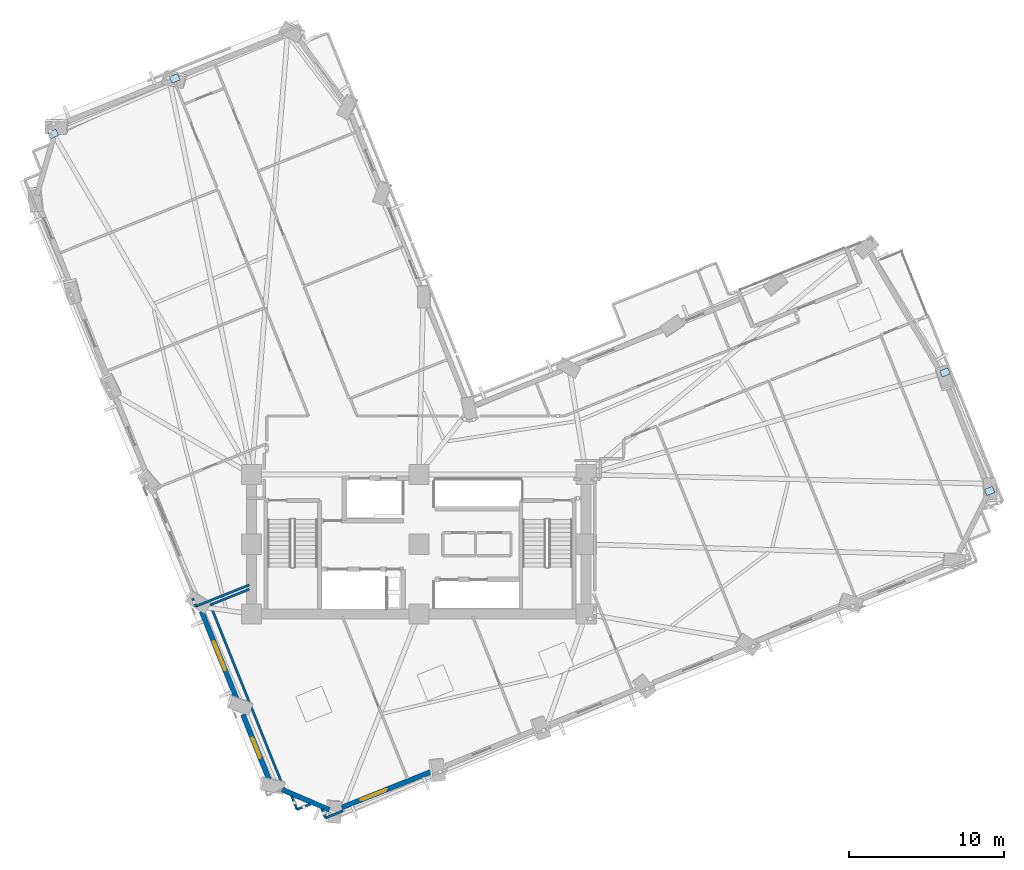
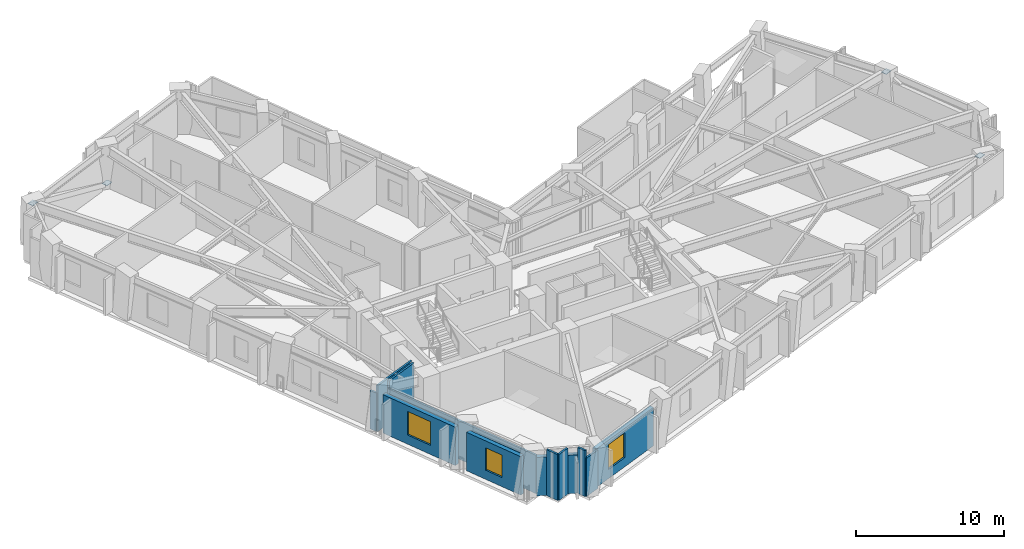
# One storey, part 7 of 16: 12 walls, 4 plates, 3 windows, 3 openings.
"""IFC4 building model written with IfcOpenShell, lengths in metres."""

from ifc_helpers import new_model, si_unit, direction, frame, frame_2d, origin, origin_2d, place, context, subcontext, project, spatial, rectangle, extrude, material, layer, layer_set, type_object, element, fill, save


model = new_model("IFC4")

# Units and contexts
model_context = context("Model", 3, precision=1e-05, world=origin(), true_north=direction((0.0, 1.0)))
body_context = subcontext(model_context, "Body", "Model", "MODEL_VIEW")
ifc_project = project(units=[si_unit("LENGTHUNIT", "METRE"), si_unit("AREAUNIT", "SQUARE_METRE"), si_unit("VOLUMEUNIT", "CUBIC_METRE"), si_unit("PLANEANGLEUNIT", "RADIAN"), si_unit("MASSUNIT", "GRAM", prefix="KILO")], contexts=[model_context])

# Site, building, storey
site_placement = place(None, origin())
site = spatial("IfcSite", under=ifc_project, at=site_placement, CompositionType="ELEMENT")
building_placement = place(site_placement, origin())
building = spatial("IfcBuilding", under=site, at=building_placement, Name="Gaonmaruhae Medical Tower", CompositionType="ELEMENT")
storey_placement = place(building_placement, frame((0.0, 0.0, 116.39990234375)))
storey = spatial("IfcBuildingStorey", under=building, at=storey_placement, Name="L27", CompositionType="ELEMENT", Elevation=116.39990234375)

# Plates
ifc_material_1 = material(Name="Steel HSA650 (650 MPa)", Category="steel")
ifc_layer_1 = layer(ifc_material_1, 0.028076171875)
ifc_layer_set_1 = layer_set([ifc_layer_1], Name="Steel HSA650 (650 MPa)")
plate_type = type_object("IfcPlateType", Name="GP-02 Tube Brace End Cap Gusset Plate", PredefinedType="USERDEFINED", material=ifc_layer_set_1)
for number, where, z_axis, x_axis, name in (
    (1, (61.638427734375, 15.73388671875, 0.23583984375), (0.0, 0.0, 1.0), (0.928161393808, 0.372177950778, 0.0), "L27 Gusset Cap Plate PLT-L27-PBR-E01A"),
    (2, (58.76220703125, 23.390625, 3.51611328125), (0.0, 0.0, 1.0), (0.921863151589, 0.387515586452, 0.0), "L27 Gusset Cap Plate PLT-L27-PBR-E01B"),
    (3, (9.04541015625, 42.373779296875, 0.23583984375), (0.0, 0.0, 1.0), (0.928161393808, 0.372177950778, 0.0), "L27 Gusset Cap Plate PLT-L27-PBR-N02A"),
    (4, (1.1982421875, 38.78662109375, 3.51611328125), (0.0, 0.0, 1.0), (0.921863151589, 0.387515586452, 0.0), "L27 Gusset Cap Plate PLT-L27-PBR-N02B"),
):
    element("IfcPlate", number, at=place(storey_placement, frame(where, z_axis=z_axis, x_axis=x_axis)), inside=storey, type_object=plate_type, Name=name, ObjectType="GUSSET_PLATE", PredefinedType="USERDEFINED", context=body_context, shape_type="SweptSolid", body=[
        extrude(rectangle(XDim=0.56005859375, YDim=0.43994140625, at=origin_2d()), origin(), (0.0, 0.0, 1.0), 0.028076171875),
    ])

# Wall, opening, window
ifc_material_2 = material(Name="Precast concrete C45/55", Category="concrete")
ifc_layer_2 = layer(ifc_material_2, 0.320068359375)
ifc_layer_set_2 = layer_set([ifc_layer_2], Name="Precast concrete C45/55")
wall_type_1 = type_object("IfcWallType", Name="EW-320 Lower Precast Masonry-Frame Facade Wall", PredefinedType="SOLIDWALL", material=ifc_layer_set_2)
wall_1_placement = place(storey_placement, frame((25.647216796875, -2.361083984375, 0.0), z_axis=(0.0, 0.0, 1.0), x_axis=(-0.928159466782, -0.372182756482, 0.0)))
wall_1 = element("IfcWall", 5, at=wall_1_placement, inside=storey, type_object=wall_type_1, Name="L27 Precast Masonry-Frame Wall S01-S02", PredefinedType="SOLIDWALL", context=body_context, shape_type="SweptSolid", body=[
    extrude(rectangle(XDim=6.269775390625, YDim=0.320068359375, at=frame_2d((3.134765625, 0.0))), origin(), (0.0, 0.0, 1.0), 3.1650390625),
])
opening_1_placement = place(wall_1_placement, frame((3.151611328125, 0.0, 0.75)))
opening_1 = element("IfcOpeningElement", 6, at=opening_1_placement, cuts=wall_1, Name="Opening WN-04", PredefinedType="OPENING", context=body_context, shape_type="SweptSolid", body=[
    extrude(rectangle(XDim=1.800048828125, YDim=2.050048828125, at=frame_2d((0.89990234375, 1.02490234375))), frame((0.0, 0.169921875, 0.0), z_axis=(0.0, -1.0, 0.0), x_axis=(1.0, 0.0, 0.0)), (0.0, 0.0, 1.0), 0.340087890625),
])
ifc_material_3 = material(Name="Anodised aluminium and Low-E double glazing", Category="aluminium")
window_type_1 = type_object("IfcWindowType", Name="WN-04 Clinic & Consult Punched Window 1800x2050", PartitioningType="SINGLE_PANEL", PredefinedType="WINDOW", material=ifc_material_3)
window_1_placement = place(opening_1_placement, origin())
window_1 = element("IfcWindow", 7, at=window_1_placement, inside=storey, type_object=window_type_1, Name="L27 Modular Facade Window S01", OverallHeight=2.050048828125, OverallWidth=1.800048828125, PartitioningType="SINGLE_PANEL", PredefinedType="WINDOW", context=body_context, shape_type="SweptSolid", body=[
    extrude(rectangle(XDim=1.800048828125, YDim=2.050048828125, at=frame_2d((0.89990234375, 1.02490234375))), frame((0.0, 0.030029296875, 0.0), z_axis=(0.0, -1.0, 0.0), x_axis=(1.0, 0.0, 0.0)), (0.0, 0.0, 1.0), 0.06005859375),
])
fill(opening_1, window_1)

wall_2_placement = place(storey_placement, frame((13.088134765625, 2.198486328125, 0.0), z_axis=(0.0, 0.0, 1.0), x_axis=(-0.372168368357, 0.928165236148, 0.0)))
wall_2 = element("IfcWall", 8, at=wall_2_placement, inside=storey, type_object=wall_type_1, Name="L27 Precast Masonry-Frame Wall W05-W06", PredefinedType="SOLIDWALL", context=body_context, shape_type="SweptSolid", body=[
    extrude(rectangle(XDim=6.223388671875, YDim=0.320068359375, at=frame_2d((3.11181640625, 0.0))), origin(), (0.0, 0.0, 1.0), 3.1650390625),
])
opening_2_placement = place(wall_2_placement, frame((2.1142578125, 0.0, 0.75)))
opening_2 = element("IfcOpeningElement", 9, at=opening_2_placement, cuts=wall_2, Name="Opening WN-02", PredefinedType="OPENING", context=body_context, shape_type="SweptSolid", body=[
    extrude(rectangle(XDim=2.0, YDim=1.949951171875, at=frame_2d((1.0, 0.97509765625))), frame((0.0, 0.169921875, 0.0), z_axis=(0.0, -1.0, 0.0), x_axis=(1.0, 0.0, 0.0)), (0.0, 0.0, 1.0), 0.340087890625),
])
window_type_2 = type_object("IfcWindowType", Name="WN-02 Double-Bed Ward Punched Window 2000x1950", PartitioningType="SINGLE_PANEL", PredefinedType="WINDOW", material=ifc_material_3)
window_2_placement = place(opening_2_placement, origin())
window_2 = element("IfcWindow", 10, at=window_2_placement, inside=storey, type_object=window_type_2, Name="L27 Modular Facade Window W05", OverallHeight=1.949951171875, OverallWidth=2.0, PartitioningType="SINGLE_PANEL", PredefinedType="WINDOW", context=body_context, shape_type="SweptSolid", body=[
    extrude(rectangle(XDim=2.0, YDim=1.949951171875, at=frame_2d((1.0, 0.97509765625))), frame((0.0, 0.030029296875, 0.0), z_axis=(0.0, -1.0, 0.0), x_axis=(1.0, 0.0, 0.0)), (0.0, 0.0, 1.0), 0.06005859375),
])
fill(opening_2, window_2)

wall_3_placement = place(storey_placement, frame((15.17724609375, -3.01123046875, 0.0), z_axis=(0.0, 0.0, 1.0), x_axis=(-0.372196646948, 0.928153896722, 0.0)))
wall_3 = element("IfcWall", 11, at=wall_3_placement, inside=storey, type_object=wall_type_1, Name="L27 Precast Masonry-Frame Wall W06-W07", PredefinedType="SOLIDWALL", context=body_context, shape_type="SweptSolid", body=[
    extrude(rectangle(XDim=4.6474609375, YDim=0.320068359375, at=frame_2d((2.32373046875, 0.0))), origin(), (0.0, 0.0, 1.0), 3.1650390625),
])
opening_3_placement = place(wall_3_placement, frame((1.627197265625, 0.0, 0.75)))
opening_3 = element("IfcOpeningElement", 12, at=opening_3_placement, cuts=wall_3, Name="Opening WN-03", PredefinedType="OPENING", context=body_context, shape_type="SweptSolid", body=[
    extrude(rectangle(XDim=1.39990234375, YDim=1.85009765625, at=frame_2d((0.699951171875, 0.925048828125))), frame((0.0, 0.169921875, 0.0), z_axis=(0.0, -1.0, 0.0), x_axis=(1.0, 0.0, 0.0)), (0.0, 0.0, 1.0), 0.340087890625),
])
window_type_3 = type_object("IfcWindowType", Name="WN-03 Isolation Ward Punched Window 1400x1850", PartitioningType="SINGLE_PANEL", PredefinedType="WINDOW", material=ifc_material_3)
window_3_placement = place(opening_3_placement, origin())
window_3 = element("IfcWindow", 13, at=window_3_placement, inside=storey, type_object=window_type_3, Name="L27 Modular Facade Window W06", OverallHeight=1.85009765625, OverallWidth=1.39990234375, PartitioningType="SINGLE_PANEL", PredefinedType="WINDOW", context=body_context, shape_type="SweptSolid", body=[
    extrude(rectangle(XDim=1.39990234375, YDim=1.85009765625, at=frame_2d((0.699951171875, 0.925048828125))), frame((0.0, 0.030029296875, 0.0), z_axis=(0.0, -1.0, 0.0), x_axis=(1.0, 0.0, 0.0)), (0.0, 0.0, 1.0), 0.06005859375),
])
fill(opening_3, window_3)

# Walls
wall_4_placement = place(storey_placement, frame((19.029296875, -4.84521484375, 0.0), z_axis=(0.0, 0.0, 1.0), x_axis=(-0.919479114724, 0.393138852808, 0.0)))
element("IfcWall", 14, at=wall_4_placement, inside=storey, type_object=wall_type_1, Name="L27 Precast Masonry-Frame Wall W07-S01", PredefinedType="SOLIDWALL", context=body_context, shape_type="SweptSolid", body=[
    extrude(rectangle(XDim=3.322998046875, YDim=0.320068359375, at=frame_2d((1.66162109375, 0.0))), origin(), (0.0, 0.0, 1.0), 3.1650390625),
])
ifc_material_4 = material(Name="Gypsum board partition", Category="gypsum")
ifc_layer_3 = layer(ifc_material_4, 0.14990234375)
ifc_layer_set_3 = layer_set([ifc_layer_3], Name="Gypsum board partition")
wall_type_2 = type_object("IfcWallType", Name="PW-150 Rated Clinical Corridor Partition", PredefinedType="PARTITIONING", material=ifc_layer_set_3)
wall_5_placement = place(storey_placement, frame((16.930908203125, -4.8330078125, 0.0), z_axis=(0.0, 0.0, 1.0), x_axis=(-0.371829133371, 0.928301187965, 0.0)))
element("IfcWall", 15, at=wall_5_placement, inside=storey, type_object=wall_type_2, Name="L27 Interior Partition L27-SUP01-8", PredefinedType="PARTITIONING", context=body_context, shape_type="SweptSolid", body=[
    extrude(rectangle(XDim=0.9599609375, YDim=0.14990234375, at=frame_2d((0.47998046875, 0.0))), origin(), (0.0, 0.0, 1.0), 3.780029296875),
])
wall_6_placement = place(storey_placement, frame((16.074951171875, -3.43505859375, 0.0), z_axis=(0.0, 0.0, 1.0), x_axis=(-0.372226827059, 0.928141793703, 0.0)))
element("IfcWall", 16, at=wall_6_placement, inside=storey, type_object=wall_type_2, Name="L27 Interior Partition L27-SUP01-9", PredefinedType="PARTITIONING", context=body_context, shape_type="SweptSolid", body=[
    extrude(rectangle(XDim=12.734130859375, YDim=0.14990234375, at=frame_2d((6.3671875, 0.0))), origin(), (0.0, 0.0, 1.0), 3.1650390625),
])
wall_7_placement = place(storey_placement, frame((11.3349609375, 8.384033203125, 0.0), z_axis=(0.0, 0.0, 1.0), x_axis=(0.928147145325, 0.372213482595, 0.0)))
element("IfcWall", 17, at=wall_7_placement, inside=storey, type_object=wall_type_2, Name="L27 Interior Partition L27-SUP01-10", PredefinedType="PARTITIONING", context=body_context, shape_type="SweptSolid", body=[
    extrude(rectangle(XDim=2.7109375, YDim=0.14990234375, at=frame_2d((1.35546875, 0.0))), origin(), (0.0, 0.0, 1.0), 3.780029296875),
])
wall_8_placement = place(storey_placement, frame((19.9140625, -4.908935546875, 0.0), z_axis=(0.0, 0.0, 1.0), x_axis=(-0.92827288589, -0.371899783976, 0.0)))
element("IfcWall", 18, at=wall_8_placement, inside=storey, type_object=wall_type_2, Name="L27 Interior Partition L27-SUP01-12", PredefinedType="PARTITIONING", context=body_context, shape_type="SweptSolid", body=[
    extrude(rectangle(XDim=1.239990234375, YDim=0.14990234375, at=frame_2d((0.6201171875, 0.0))), origin(), (0.0, 0.0, 1.0), 3.1650390625),
])
wall_9_placement = place(storey_placement, frame((18.762939453125, -5.3701171875, 0.0), z_axis=(0.0, 0.0, 1.0), x_axis=(-0.371850923637, 0.928292459622, 0.0)))
element("IfcWall", 19, at=wall_9_placement, inside=storey, type_object=wall_type_2, Name="L27 Interior Partition L27-SUP01-13", PredefinedType="PARTITIONING", context=body_context, shape_type="SweptSolid", body=[
    extrude(rectangle(XDim=0.64013671875, YDim=0.14990234375, at=frame_2d((0.320068359375, 0.0))), origin(), (0.0, 0.0, 1.0), 3.780029296875),
])
wall_10_placement = place(storey_placement, frame((17.821044921875, -4.47607421875, 0.0), z_axis=(0.0, 0.0, 1.0), x_axis=(-0.92816033747, -0.372180585129, 0.0)))
element("IfcWall", 20, at=wall_10_placement, inside=storey, type_object=wall_type_2, Name="L27 Interior Partition L27-SUP01-14", PredefinedType="PARTITIONING", context=body_context, shape_type="SweptSolid", body=[
    extrude(rectangle(XDim=0.958984375, YDim=0.14990234375, at=frame_2d((0.4794921875, 0.0))), origin(), (0.0, 0.0, 1.0), 3.780029296875),
])
wall_11_placement = place(storey_placement, frame((13.85107421875, 9.674072265625, 0.0), z_axis=(0.0, 0.0, 1.0), x_axis=(-0.928127817915, -0.372261673574, 0.0)))
element("IfcWall", 21, at=wall_11_placement, inside=storey, type_object=wall_type_2, Name="L27 Interior Partition L27-WOF07-43", PredefinedType="PARTITIONING", context=body_context, shape_type="SweptSolid", body=[
    extrude(rectangle(XDim=3.720458984375, YDim=0.14990234375, at=frame_2d((1.8603515625, 0.0))), origin(), (0.0, 0.0, 1.0), 3.780029296875),
])
wall_12_placement = place(storey_placement, frame((10.39794921875, 8.2890625, 0.0), z_axis=(0.0, 0.0, 1.0), x_axis=(-0.372450597791, 0.928052020204, 0.0)))
element("IfcWall", 22, at=wall_12_placement, inside=storey, type_object=wall_type_2, Name="L27 Interior Partition L27-WOF07-44", PredefinedType="PARTITIONING", context=body_context, shape_type="SweptSolid", body=[
    extrude(rectangle(XDim=0.555908203125, YDim=0.14990234375, at=frame_2d((0.27783203125, 0.0))), origin(), (0.0, 0.0, 1.0), 3.1650390625),
])

save(model, "model.ifc")
